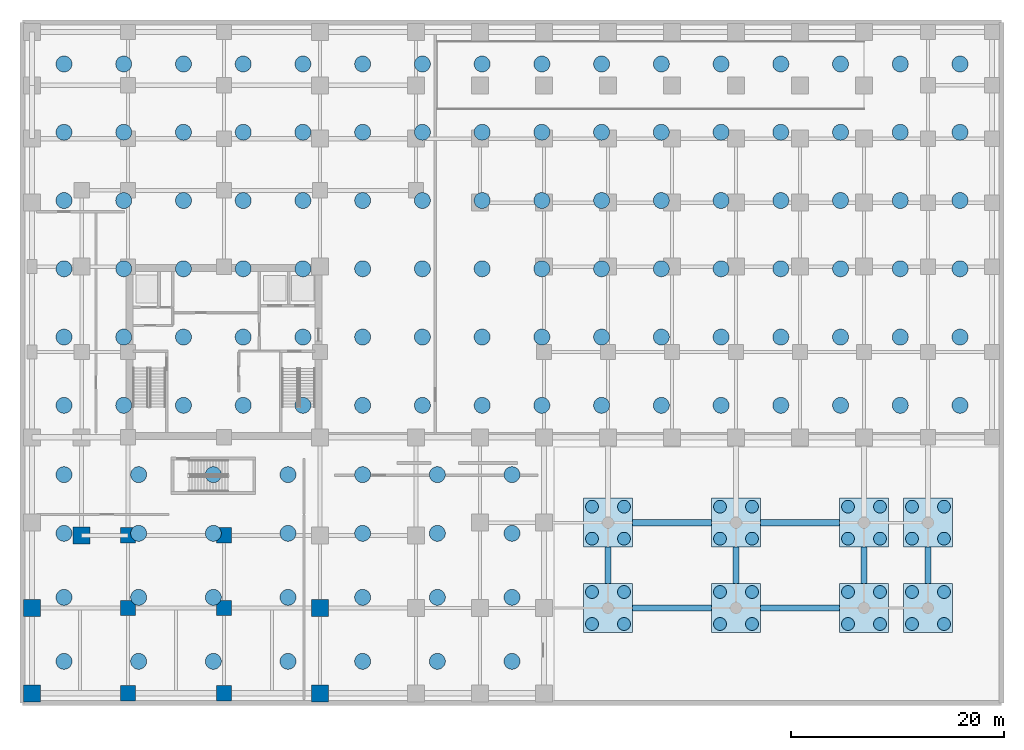
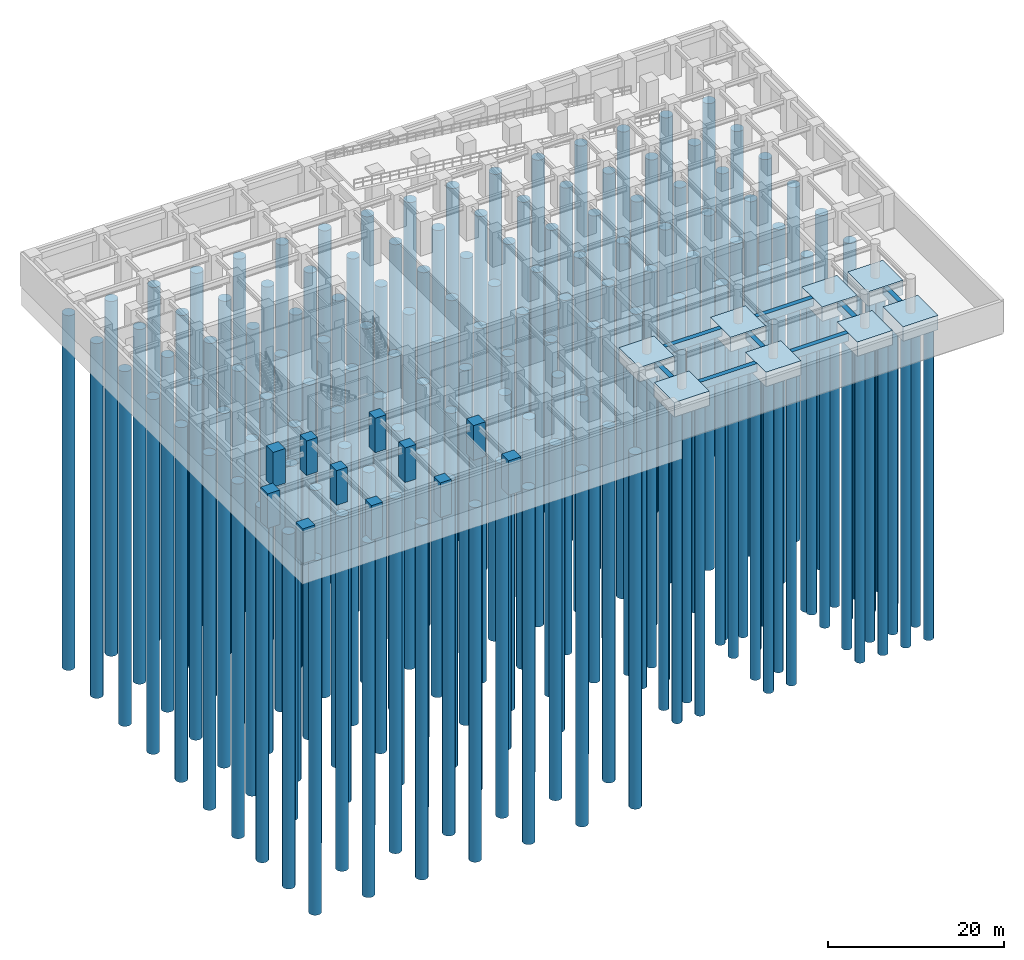
# One storey, part 1 of 11: 156 piles, 16 footings, 11 columns.
"""IFC4 building model written with IfcOpenShell, lengths in metres."""

from ifc_helpers import new_model, si_unit, direction, frame, origin, origin_2d, place, context, subcontext, project, spatial, polyline, rectangle, circle, outline, extrude, source, transform, mapped, material, material_profile, profile_set, type_object, element, save


model = new_model("IFC4")

# Units and contexts
model_context = context("Model", 3, precision=1e-05, world=origin(), true_north=direction((0.0, 1.0)))
body_context = subcontext(model_context, "Body", "Model", "MODEL_VIEW")
ifc_project = project(units=[si_unit("LENGTHUNIT", "METRE"), si_unit("AREAUNIT", "SQUARE_METRE"), si_unit("VOLUMEUNIT", "CUBIC_METRE"), si_unit("PLANEANGLEUNIT", "RADIAN"), si_unit("MASSUNIT", "GRAM", prefix="KILO")], contexts=[model_context])

# Site, building, storey
site_placement = place(None, origin())
site = spatial("IfcSite", under=ifc_project, at=site_placement, CompositionType="ELEMENT")
building_placement = place(site_placement, origin())
building = spatial("IfcBuilding", under=site, at=building_placement, Name="Torre Montelarca", CompositionType="ELEMENT")
storey_placement = place(building_placement, frame((0.0, 0.0, -9.60009765625)))
storey = spatial("IfcBuildingStorey", under=building, at=storey_placement, Name="B2", CompositionType="ELEMENT", Elevation=-9.60009765625)

# Footings
ifc_material_1 = material(Name="Concrete C40/50", Category="concrete")
footing_type_1 = type_object("IfcFootingType", Name="FT-PCAP-4600", PredefinedType="PILE_CAP", material=ifc_material_1)
footing_1_placement = place(storey_placement, frame((0.0, 0.0, -2.0)))
element("IfcFooting", 1, at=footing_1_placement, inside=storey, type_object=footing_type_1, Name="Plaza Colonnade Pile Cap PC-01", PredefinedType="PILE_CAP", context=body_context, shape_type="SweptSolid", body=[
    extrude(outline(polyline([(51.699951171875, 5.699951171875), (56.300048828125, 5.699951171875), (56.300048828125, 10.300048828125), (51.699951171875, 10.300048828125), (51.699951171875, 5.699951171875)])), origin(), (0.0, 0.0, 1.0), 2.0),
])
footing_2_placement = place(storey_placement, frame((0.0, 0.0, -2.0)))
element("IfcFooting", 2, at=footing_2_placement, inside=storey, type_object=footing_type_1, Name="Plaza Colonnade Pile Cap PC-02", PredefinedType="PILE_CAP", context=body_context, shape_type="SweptSolid", body=[
    extrude(outline(polyline([(63.699951171875, 5.699951171875), (68.300048828125, 5.699951171875), (68.300048828125, 10.300048828125), (63.699951171875, 10.300048828125), (63.699951171875, 5.699951171875)])), origin(), (0.0, 0.0, 1.0), 2.0),
])
footing_3_placement = place(storey_placement, frame((0.0, 0.0, -2.0)))
element("IfcFooting", 3, at=footing_3_placement, inside=storey, type_object=footing_type_1, Name="Plaza Colonnade Pile Cap PC-03", PredefinedType="PILE_CAP", context=body_context, shape_type="SweptSolid", body=[
    extrude(outline(polyline([(75.699951171875, 5.699951171875), (80.300048828125, 5.699951171875), (80.300048828125, 10.300048828125), (75.699951171875, 10.300048828125), (75.699951171875, 5.699951171875)])), origin(), (0.0, 0.0, 1.0), 2.0),
])
footing_4_placement = place(storey_placement, frame((0.0, 0.0, -2.0)))
element("IfcFooting", 4, at=footing_4_placement, inside=storey, type_object=footing_type_1, Name="Plaza Colonnade Pile Cap PC-04", PredefinedType="PILE_CAP", context=body_context, shape_type="SweptSolid", body=[
    extrude(outline(polyline([(81.699951171875, 5.699951171875), (86.300048828125, 5.699951171875), (86.300048828125, 10.300048828125), (81.699951171875, 10.300048828125), (81.699951171875, 5.699951171875)])), origin(), (0.0, 0.0, 1.0), 2.0),
])
footing_5_placement = place(storey_placement, frame((0.0, 0.0, -2.0)))
element("IfcFooting", 5, at=footing_5_placement, inside=storey, type_object=footing_type_1, Name="Plaza Colonnade Pile Cap PC-05", PredefinedType="PILE_CAP", context=body_context, shape_type="SweptSolid", body=[
    extrude(outline(polyline([(51.699951171875, 13.699951171875), (56.300048828125, 13.699951171875), (56.300048828125, 18.300048828125), (51.699951171875, 18.300048828125), (51.699951171875, 13.699951171875)])), origin(), (0.0, 0.0, 1.0), 2.0),
])
footing_6_placement = place(storey_placement, frame((0.0, 0.0, -2.0)))
element("IfcFooting", 6, at=footing_6_placement, inside=storey, type_object=footing_type_1, Name="Plaza Colonnade Pile Cap PC-06", PredefinedType="PILE_CAP", context=body_context, shape_type="SweptSolid", body=[
    extrude(outline(polyline([(63.699951171875, 13.699951171875), (68.300048828125, 13.699951171875), (68.300048828125, 18.300048828125), (63.699951171875, 18.300048828125), (63.699951171875, 13.699951171875)])), origin(), (0.0, 0.0, 1.0), 2.0),
])
footing_7_placement = place(storey_placement, frame((0.0, 0.0, -2.0)))
element("IfcFooting", 7, at=footing_7_placement, inside=storey, type_object=footing_type_1, Name="Plaza Colonnade Pile Cap PC-07", PredefinedType="PILE_CAP", context=body_context, shape_type="SweptSolid", body=[
    extrude(outline(polyline([(75.699951171875, 13.699951171875), (80.300048828125, 13.699951171875), (80.300048828125, 18.300048828125), (75.699951171875, 18.300048828125), (75.699951171875, 13.699951171875)])), origin(), (0.0, 0.0, 1.0), 2.0),
])
footing_8_placement = place(storey_placement, frame((0.0, 0.0, -2.0)))
element("IfcFooting", 8, at=footing_8_placement, inside=storey, type_object=footing_type_1, Name="Plaza Colonnade Pile Cap PC-08", PredefinedType="PILE_CAP", context=body_context, shape_type="SweptSolid", body=[
    extrude(outline(polyline([(81.699951171875, 13.699951171875), (86.300048828125, 13.699951171875), (86.300048828125, 18.300048828125), (81.699951171875, 18.300048828125), (81.699951171875, 13.699951171875)])), origin(), (0.0, 0.0, 1.0), 2.0),
])

# Piles
ifc_material_profile_1 = material_profile(ifc_material_1, circle(Radius=0.75, at=origin_2d()), Name="PILE-D1500", Category="concrete")
ifc_profile_set_1 = profile_set([ifc_material_profile_1], Name="Concrete C40/50")
pile_type_1 = type_object("IfcPileType", Name="PILE-BORED-1500", PredefinedType="BORED", material=ifc_profile_set_1)
shared_shape_1 = source(origin(), body_context, "Body", "SweptSolid", [
    extrude(circle(Radius=0.75, at=origin_2d()), origin(), (0.0, 0.0, 1.0), 49.199951171875),
])
for number, where, z_axis, x_axis, name in (
    (9, (3.0, 27.0, -2.699951171875), (0.0, 0.0, -1.0), (1.0, 0.0, 0.0), "Raft Bored Pile D1500 001"),
    (10, (3.0, 33.39990234375, -2.699951171875), (0.0, 0.0, -1.0), (1.0, 0.0, 0.0), "Raft Bored Pile D1500 002"),
    (11, (3.0, 39.800048828125, -2.699951171875), (0.0, 0.0, -1.0), (1.0, 0.0, 0.0), "Raft Bored Pile D1500 003"),
    (12, (3.0, 46.199951171875, -2.699951171875), (0.0, 0.0, -1.0), (1.0, 0.0, 0.0), "Raft Bored Pile D1500 004"),
    (13, (3.0, 52.60009765625, -2.699951171875), (0.0, 0.0, -1.0), (1.0, 0.0, 0.0), "Raft Bored Pile D1500 005"),
    (14, (3.0, 59.0, -2.699951171875), (0.0, 0.0, -1.0), (1.0, 0.0, 0.0), "Raft Bored Pile D1500 006"),
    (15, (8.60009765625, 27.0, -2.699951171875), (0.0, 0.0, -1.0), (1.0, 0.0, 0.0), "Raft Bored Pile D1500 007"),
    (16, (8.60009765625, 33.39990234375, -2.699951171875), (0.0, 0.0, -1.0), (1.0, 0.0, 0.0), "Raft Bored Pile D1500 008"),
    (17, (8.60009765625, 39.800048828125, -2.699951171875), (0.0, 0.0, -1.0), (1.0, 0.0, 0.0), "Raft Bored Pile D1500 009"),
    (18, (8.60009765625, 46.199951171875, -2.699951171875), (0.0, 0.0, -1.0), (1.0, 0.0, 0.0), "Raft Bored Pile D1500 010"),
    (19, (8.60009765625, 52.60009765625, -2.699951171875), (0.0, 0.0, -1.0), (1.0, 0.0, 0.0), "Raft Bored Pile D1500 011"),
    (20, (8.60009765625, 59.0, -2.699951171875), (0.0, 0.0, -1.0), (1.0, 0.0, 0.0), "Raft Bored Pile D1500 012"),
    (21, (14.199951171875, 27.0, -2.699951171875), (0.0, 0.0, -1.0), (1.0, 0.0, 0.0), "Raft Bored Pile D1500 013"),
    (22, (14.199951171875, 33.39990234375, -2.699951171875), (0.0, 0.0, -1.0), (1.0, 0.0, 0.0), "Raft Bored Pile D1500 014"),
    (23, (14.199951171875, 39.800048828125, -2.699951171875), (0.0, 0.0, -1.0), (1.0, 0.0, 0.0), "Raft Bored Pile D1500 015"),
    (24, (14.199951171875, 46.199951171875, -2.699951171875), (0.0, 0.0, -1.0), (1.0, 0.0, 0.0), "Raft Bored Pile D1500 016"),
    (25, (14.199951171875, 52.60009765625, -2.699951171875), (0.0, 0.0, -1.0), (1.0, 0.0, 0.0), "Raft Bored Pile D1500 017"),
    (26, (14.199951171875, 59.0, -2.699951171875), (0.0, 0.0, -1.0), (1.0, 0.0, 0.0), "Raft Bored Pile D1500 018"),
    (27, (19.800048828125, 27.0, -2.699951171875), (0.0, 0.0, -1.0), (1.0, 0.0, 0.0), "Raft Bored Pile D1500 019"),
    (28, (19.800048828125, 33.39990234375, -2.699951171875), (0.0, 0.0, -1.0), (1.0, 0.0, 0.0), "Raft Bored Pile D1500 020"),
    (29, (19.800048828125, 39.800048828125, -2.699951171875), (0.0, 0.0, -1.0), (1.0, 0.0, 0.0), "Raft Bored Pile D1500 021"),
    (30, (19.800048828125, 46.199951171875, -2.699951171875), (0.0, 0.0, -1.0), (1.0, 0.0, 0.0), "Raft Bored Pile D1500 022"),
    (31, (19.800048828125, 52.60009765625, -2.699951171875), (0.0, 0.0, -1.0), (1.0, 0.0, 0.0), "Raft Bored Pile D1500 023"),
    (32, (19.800048828125, 59.0, -2.699951171875), (0.0, 0.0, -1.0), (1.0, 0.0, 0.0), "Raft Bored Pile D1500 024"),
    (33, (25.39990234375, 27.0, -2.699951171875), (0.0, 0.0, -1.0), (1.0, 0.0, 0.0), "Raft Bored Pile D1500 025"),
    (34, (25.39990234375, 33.39990234375, -2.699951171875), (0.0, 0.0, -1.0), (1.0, 0.0, 0.0), "Raft Bored Pile D1500 026"),
    (35, (25.39990234375, 39.800048828125, -2.699951171875), (0.0, 0.0, -1.0), (1.0, 0.0, 0.0), "Raft Bored Pile D1500 027"),
    (36, (25.39990234375, 46.199951171875, -2.699951171875), (0.0, 0.0, -1.0), (1.0, 0.0, 0.0), "Raft Bored Pile D1500 028"),
    (37, (25.39990234375, 52.60009765625, -2.699951171875), (0.0, 0.0, -1.0), (1.0, 0.0, 0.0), "Raft Bored Pile D1500 029"),
    (38, (25.39990234375, 59.0, -2.699951171875), (0.0, 0.0, -1.0), (1.0, 0.0, 0.0), "Raft Bored Pile D1500 030"),
    (39, (31.0, 27.0, -2.699951171875), (0.0, 0.0, -1.0), (1.0, 0.0, 0.0), "Raft Bored Pile D1500 031"),
    (40, (31.0, 33.39990234375, -2.699951171875), (0.0, 0.0, -1.0), (1.0, 0.0, 0.0), "Raft Bored Pile D1500 032"),
    (41, (31.0, 39.800048828125, -2.699951171875), (0.0, 0.0, -1.0), (1.0, 0.0, 0.0), "Raft Bored Pile D1500 033"),
    (42, (31.0, 46.199951171875, -2.699951171875), (0.0, 0.0, -1.0), (1.0, 0.0, 0.0), "Raft Bored Pile D1500 034"),
    (43, (31.0, 52.60009765625, -2.699951171875), (0.0, 0.0, -1.0), (1.0, 0.0, 0.0), "Raft Bored Pile D1500 035"),
    (44, (31.0, 59.0, -2.699951171875), (0.0, 0.0, -1.0), (1.0, 0.0, 0.0), "Raft Bored Pile D1500 036"),
    (45, (36.60009765625, 27.0, -2.699951171875), (0.0, 0.0, -1.0), (1.0, 0.0, 0.0), "Raft Bored Pile D1500 037"),
    (46, (36.60009765625, 33.39990234375, -2.699951171875), (0.0, 0.0, -1.0), (1.0, 0.0, 0.0), "Raft Bored Pile D1500 038"),
    (47, (36.60009765625, 39.800048828125, -2.699951171875), (0.0, 0.0, -1.0), (1.0, 0.0, 0.0), "Raft Bored Pile D1500 039"),
    (48, (36.60009765625, 46.199951171875, -2.699951171875), (0.0, 0.0, -1.0), (1.0, 0.0, 0.0), "Raft Bored Pile D1500 040"),
    (49, (36.60009765625, 52.60009765625, -2.699951171875), (0.0, 0.0, -1.0), (1.0, 0.0, 0.0), "Raft Bored Pile D1500 041"),
    (50, (36.60009765625, 59.0, -2.699951171875), (0.0, 0.0, -1.0), (1.0, 0.0, 0.0), "Raft Bored Pile D1500 042"),
    (51, (42.199951171875, 27.0, -2.699951171875), (0.0, 0.0, -1.0), (1.0, 0.0, 0.0), "Raft Bored Pile D1500 043"),
    (52, (42.199951171875, 33.39990234375, -2.699951171875), (0.0, 0.0, -1.0), (1.0, 0.0, 0.0), "Raft Bored Pile D1500 044"),
    (53, (42.199951171875, 39.800048828125, -2.699951171875), (0.0, 0.0, -1.0), (1.0, 0.0, 0.0), "Raft Bored Pile D1500 045"),
    (54, (42.199951171875, 46.199951171875, -2.699951171875), (0.0, 0.0, -1.0), (1.0, 0.0, 0.0), "Raft Bored Pile D1500 046"),
    (55, (42.199951171875, 52.60009765625, -2.699951171875), (0.0, 0.0, -1.0), (1.0, 0.0, 0.0), "Raft Bored Pile D1500 047"),
    (56, (42.199951171875, 59.0, -2.699951171875), (0.0, 0.0, -1.0), (1.0, 0.0, 0.0), "Raft Bored Pile D1500 048"),
    (57, (47.800048828125, 27.0, -2.699951171875), (0.0, 0.0, -1.0), (1.0, 0.0, 0.0), "Raft Bored Pile D1500 049"),
    (58, (47.800048828125, 33.39990234375, -2.699951171875), (0.0, 0.0, -1.0), (1.0, 0.0, 0.0), "Raft Bored Pile D1500 050"),
    (59, (47.800048828125, 39.800048828125, -2.699951171875), (0.0, 0.0, -1.0), (1.0, 0.0, 0.0), "Raft Bored Pile D1500 051"),
    (60, (47.800048828125, 46.199951171875, -2.699951171875), (0.0, 0.0, -1.0), (1.0, 0.0, 0.0), "Raft Bored Pile D1500 052"),
    (61, (47.800048828125, 52.60009765625, -2.699951171875), (0.0, 0.0, -1.0), (1.0, 0.0, 0.0), "Raft Bored Pile D1500 053"),
    (62, (47.800048828125, 59.0, -2.699951171875), (0.0, 0.0, -1.0), (1.0, 0.0, 0.0), "Raft Bored Pile D1500 054"),
    (63, (53.39990234375, 27.0, -2.699951171875), (0.0, 0.0, -1.0), (1.0, 0.0, 0.0), "Raft Bored Pile D1500 055"),
    (64, (53.39990234375, 33.39990234375, -2.699951171875), (0.0, 0.0, -1.0), (1.0, 0.0, 0.0), "Raft Bored Pile D1500 056"),
    (65, (53.39990234375, 39.800048828125, -2.699951171875), (0.0, 0.0, -1.0), (1.0, 0.0, 0.0), "Raft Bored Pile D1500 057"),
    (66, (53.39990234375, 46.199951171875, -2.699951171875), (0.0, 0.0, -1.0), (1.0, 0.0, 0.0), "Raft Bored Pile D1500 058"),
    (67, (53.39990234375, 52.60009765625, -2.699951171875), (0.0, 0.0, -1.0), (1.0, 0.0, 0.0), "Raft Bored Pile D1500 059"),
    (68, (53.39990234375, 59.0, -2.699951171875), (0.0, 0.0, -1.0), (1.0, 0.0, 0.0), "Raft Bored Pile D1500 060"),
    (69, (59.0, 27.0, -2.699951171875), (0.0, 0.0, -1.0), (1.0, 0.0, 0.0), "Raft Bored Pile D1500 061"),
    (70, (59.0, 33.39990234375, -2.699951171875), (0.0, 0.0, -1.0), (1.0, 0.0, 0.0), "Raft Bored Pile D1500 062"),
    (71, (59.0, 39.800048828125, -2.699951171875), (0.0, 0.0, -1.0), (1.0, 0.0, 0.0), "Raft Bored Pile D1500 063"),
    (72, (59.0, 46.199951171875, -2.699951171875), (0.0, 0.0, -1.0), (1.0, 0.0, 0.0), "Raft Bored Pile D1500 064"),
    (73, (59.0, 52.60009765625, -2.699951171875), (0.0, 0.0, -1.0), (1.0, 0.0, 0.0), "Raft Bored Pile D1500 065"),
    (74, (59.0, 59.0, -2.699951171875), (0.0, 0.0, -1.0), (1.0, 0.0, 0.0), "Raft Bored Pile D1500 066"),
    (75, (64.60009765625, 27.0, -2.699951171875), (0.0, 0.0, -1.0), (1.0, 0.0, 0.0), "Raft Bored Pile D1500 067"),
    (76, (64.60009765625, 33.39990234375, -2.699951171875), (0.0, 0.0, -1.0), (1.0, 0.0, 0.0), "Raft Bored Pile D1500 068"),
    (77, (64.60009765625, 39.800048828125, -2.699951171875), (0.0, 0.0, -1.0), (1.0, 0.0, 0.0), "Raft Bored Pile D1500 069"),
    (78, (64.60009765625, 46.199951171875, -2.699951171875), (0.0, 0.0, -1.0), (1.0, 0.0, 0.0), "Raft Bored Pile D1500 070"),
    (79, (64.60009765625, 52.60009765625, -2.699951171875), (0.0, 0.0, -1.0), (1.0, 0.0, 0.0), "Raft Bored Pile D1500 071"),
    (80, (64.60009765625, 59.0, -2.699951171875), (0.0, 0.0, -1.0), (1.0, 0.0, 0.0), "Raft Bored Pile D1500 072"),
    (81, (70.199951171875, 27.0, -2.699951171875), (0.0, 0.0, -1.0), (1.0, 0.0, 0.0), "Raft Bored Pile D1500 073"),
    (82, (70.199951171875, 33.39990234375, -2.699951171875), (0.0, 0.0, -1.0), (1.0, 0.0, 0.0), "Raft Bored Pile D1500 074"),
    (83, (70.199951171875, 39.800048828125, -2.699951171875), (0.0, 0.0, -1.0), (1.0, 0.0, 0.0), "Raft Bored Pile D1500 075"),
    (84, (70.199951171875, 46.199951171875, -2.699951171875), (0.0, 0.0, -1.0), (1.0, 0.0, 0.0), "Raft Bored Pile D1500 076"),
    (85, (70.199951171875, 52.60009765625, -2.699951171875), (0.0, 0.0, -1.0), (1.0, 0.0, 0.0), "Raft Bored Pile D1500 077"),
    (86, (70.199951171875, 59.0, -2.699951171875), (0.0, 0.0, -1.0), (1.0, 0.0, 0.0), "Raft Bored Pile D1500 078"),
    (87, (75.800048828125, 27.0, -2.699951171875), (0.0, 0.0, -1.0), (1.0, 0.0, 0.0), "Raft Bored Pile D1500 079"),
    (88, (75.800048828125, 33.39990234375, -2.699951171875), (0.0, 0.0, -1.0), (1.0, 0.0, 0.0), "Raft Bored Pile D1500 080"),
    (89, (75.800048828125, 39.800048828125, -2.699951171875), (0.0, 0.0, -1.0), (1.0, 0.0, 0.0), "Raft Bored Pile D1500 081"),
    (90, (75.800048828125, 46.199951171875, -2.699951171875), (0.0, 0.0, -1.0), (1.0, 0.0, 0.0), "Raft Bored Pile D1500 082"),
    (91, (75.800048828125, 52.60009765625, -2.699951171875), (0.0, 0.0, -1.0), (1.0, 0.0, 0.0), "Raft Bored Pile D1500 083"),
    (92, (75.800048828125, 59.0, -2.699951171875), (0.0, 0.0, -1.0), (1.0, 0.0, 0.0), "Raft Bored Pile D1500 084"),
    (93, (81.39990234375, 27.0, -2.699951171875), (0.0, 0.0, -1.0), (1.0, 0.0, 0.0), "Raft Bored Pile D1500 085"),
    (94, (81.39990234375, 33.39990234375, -2.699951171875), (0.0, 0.0, -1.0), (1.0, 0.0, 0.0), "Raft Bored Pile D1500 086"),
    (95, (81.39990234375, 39.800048828125, -2.699951171875), (0.0, 0.0, -1.0), (1.0, 0.0, 0.0), "Raft Bored Pile D1500 087"),
    (96, (81.39990234375, 46.199951171875, -2.699951171875), (0.0, 0.0, -1.0), (1.0, 0.0, 0.0), "Raft Bored Pile D1500 088"),
    (97, (81.39990234375, 52.60009765625, -2.699951171875), (0.0, 0.0, -1.0), (1.0, 0.0, 0.0), "Raft Bored Pile D1500 089"),
    (98, (81.39990234375, 59.0, -2.699951171875), (0.0, 0.0, -1.0), (1.0, 0.0, 0.0), "Raft Bored Pile D1500 090"),
    (99, (87.0, 27.0, -2.699951171875), (0.0, 0.0, -1.0), (1.0, 0.0, 0.0), "Raft Bored Pile D1500 091"),
    (100, (87.0, 33.39990234375, -2.699951171875), (0.0, 0.0, -1.0), (1.0, 0.0, 0.0), "Raft Bored Pile D1500 092"),
    (101, (87.0, 39.800048828125, -2.699951171875), (0.0, 0.0, -1.0), (1.0, 0.0, 0.0), "Raft Bored Pile D1500 093"),
    (102, (87.0, 46.199951171875, -2.699951171875), (0.0, 0.0, -1.0), (1.0, 0.0, 0.0), "Raft Bored Pile D1500 094"),
    (103, (87.0, 52.60009765625, -2.699951171875), (0.0, 0.0, -1.0), (1.0, 0.0, 0.0), "Raft Bored Pile D1500 095"),
    (104, (87.0, 59.0, -2.699951171875), (0.0, 0.0, -1.0), (1.0, 0.0, 0.0), "Raft Bored Pile D1500 096"),
    (105, (3.0, 3.0, -2.699951171875), (0.0, 0.0, -1.0), (1.0, 0.0, 0.0), "Raft Bored Pile D1500 097"),
    (106, (3.0, 9.0, -2.699951171875), (0.0, 0.0, -1.0), (1.0, 0.0, 0.0), "Raft Bored Pile D1500 098"),
    (107, (3.0, 15.0, -2.699951171875), (0.0, 0.0, -1.0), (1.0, 0.0, 0.0), "Raft Bored Pile D1500 099"),
    (108, (3.0, 20.5, -2.699951171875), (0.0, 0.0, -1.0), (1.0, 0.0, 0.0), "Raft Bored Pile D1500 100"),
    (109, (10.0, 3.0, -2.699951171875), (0.0, 0.0, -1.0), (1.0, 0.0, 0.0), "Raft Bored Pile D1500 101"),
    (110, (10.0, 9.0, -2.699951171875), (0.0, 0.0, -1.0), (1.0, 0.0, 0.0), "Raft Bored Pile D1500 102"),
    (111, (10.0, 15.0, -2.699951171875), (0.0, 0.0, -1.0), (1.0, 0.0, 0.0), "Raft Bored Pile D1500 103"),
    (112, (10.0, 20.5, -2.699951171875), (0.0, 0.0, -1.0), (1.0, 0.0, 0.0), "Raft Bored Pile D1500 104"),
    (113, (17.0, 3.0, -2.699951171875), (0.0, 0.0, -1.0), (1.0, 0.0, 0.0), "Raft Bored Pile D1500 105"),
    (114, (17.0, 9.0, -2.699951171875), (0.0, 0.0, -1.0), (1.0, 0.0, 0.0), "Raft Bored Pile D1500 106"),
    (115, (17.0, 15.0, -2.699951171875), (0.0, 0.0, -1.0), (1.0, 0.0, 0.0), "Raft Bored Pile D1500 107"),
    (116, (17.0, 20.5, -2.699951171875), (0.0, 0.0, -1.0), (1.0, 0.0, 0.0), "Raft Bored Pile D1500 108"),
    (117, (24.0, 3.0, -2.699951171875), (0.0, 0.0, -1.0), (1.0, 0.0, 0.0), "Raft Bored Pile D1500 109"),
    (118, (24.0, 9.0, -2.699951171875), (0.0, 0.0, -1.0), (1.0, 0.0, 0.0), "Raft Bored Pile D1500 110"),
    (119, (24.0, 15.0, -2.699951171875), (0.0, 0.0, -1.0), (1.0, 0.0, 0.0), "Raft Bored Pile D1500 111"),
    (120, (24.0, 20.5, -2.699951171875), (0.0, 0.0, -1.0), (1.0, 0.0, 0.0), "Raft Bored Pile D1500 112"),
    (121, (31.0, 3.0, -2.699951171875), (0.0, 0.0, -1.0), (1.0, 0.0, 0.0), "Raft Bored Pile D1500 113"),
    (122, (31.0, 9.0, -2.699951171875), (0.0, 0.0, -1.0), (1.0, 0.0, 0.0), "Raft Bored Pile D1500 114"),
    (123, (31.0, 15.0, -2.699951171875), (0.0, 0.0, -1.0), (1.0, 0.0, 0.0), "Raft Bored Pile D1500 115"),
    (124, (31.0, 20.5, -2.699951171875), (0.0, 0.0, -1.0), (1.0, 0.0, 0.0), "Raft Bored Pile D1500 116"),
    (125, (38.0, 3.0, -2.699951171875), (0.0, 0.0, -1.0), (1.0, 0.0, 0.0), "Raft Bored Pile D1500 117"),
    (126, (38.0, 9.0, -2.699951171875), (0.0, 0.0, -1.0), (1.0, 0.0, 0.0), "Raft Bored Pile D1500 118"),
    (127, (38.0, 15.0, -2.699951171875), (0.0, 0.0, -1.0), (1.0, 0.0, 0.0), "Raft Bored Pile D1500 119"),
    (128, (38.0, 20.5, -2.699951171875), (0.0, 0.0, -1.0), (1.0, 0.0, 0.0), "Raft Bored Pile D1500 120"),
    (129, (45.0, 3.0, -2.699951171875), (0.0, 0.0, -1.0), (1.0, 0.0, 0.0), "Raft Bored Pile D1500 121"),
    (130, (45.0, 9.0, -2.699951171875), (0.0, 0.0, -1.0), (1.0, 0.0, 0.0), "Raft Bored Pile D1500 122"),
    (131, (45.0, 15.0, -2.699951171875), (0.0, 0.0, -1.0), (1.0, 0.0, 0.0), "Raft Bored Pile D1500 123"),
    (132, (45.0, 20.5, -2.699951171875), (0.0, 0.0, -1.0), (1.0, 0.0, 0.0), "Raft Bored Pile D1500 124"),
):
    element("IfcPile", number, at=place(storey_placement, frame(where, z_axis=z_axis, x_axis=x_axis)), inside=storey, type_object=pile_type_1, Name=name, PredefinedType="BORED", context=body_context, shape_type="MappedRepresentation", body=[
        mapped(shared_shape_1, transform((0.0, 0.0, 0.0), scale=1.0)),
    ])
ifc_material_profile_2 = material_profile(ifc_material_1, circle(Radius=0.60009765625, at=origin_2d()), Name="PILE-D1200", Category="concrete")
ifc_profile_set_2 = profile_set([ifc_material_profile_2], Name="Concrete C40/50")
pile_type_2 = type_object("IfcPileType", Name="PILE-BORED-1200", PredefinedType="BORED", material=ifc_profile_set_2)
shared_shape_2 = source(origin(), body_context, "Body", "SweptSolid", [
    extrude(circle(Radius=0.60009765625, at=origin_2d()), origin(), (0.0, 0.0, 1.0), 43.0),
])
for number, where, z_axis, x_axis, name in (
    (133, (52.5, 6.5, -1.89990234375), (0.0, 0.0, -1.0), (1.0, 0.0, 0.0), "Plaza Cap Bored Pile D1200 001"),
    (134, (52.5, 9.5, -1.89990234375), (0.0, 0.0, -1.0), (1.0, 0.0, 0.0), "Plaza Cap Bored Pile D1200 002"),
    (135, (55.5, 6.5, -1.89990234375), (0.0, 0.0, -1.0), (1.0, 0.0, 0.0), "Plaza Cap Bored Pile D1200 003"),
    (136, (55.5, 9.5, -1.89990234375), (0.0, 0.0, -1.0), (1.0, 0.0, 0.0), "Plaza Cap Bored Pile D1200 004"),
    (137, (64.5, 6.5, -1.89990234375), (0.0, 0.0, -1.0), (1.0, 0.0, 0.0), "Plaza Cap Bored Pile D1200 005"),
    (138, (64.5, 9.5, -1.89990234375), (0.0, 0.0, -1.0), (1.0, 0.0, 0.0), "Plaza Cap Bored Pile D1200 006"),
    (139, (67.5, 6.5, -1.89990234375), (0.0, 0.0, -1.0), (1.0, 0.0, 0.0), "Plaza Cap Bored Pile D1200 007"),
    (140, (67.5, 9.5, -1.89990234375), (0.0, 0.0, -1.0), (1.0, 0.0, 0.0), "Plaza Cap Bored Pile D1200 008"),
    (141, (76.5, 6.5, -1.89990234375), (0.0, 0.0, -1.0), (1.0, 0.0, 0.0), "Plaza Cap Bored Pile D1200 009"),
    (142, (76.5, 9.5, -1.89990234375), (0.0, 0.0, -1.0), (1.0, 0.0, 0.0), "Plaza Cap Bored Pile D1200 010"),
    (143, (79.5, 6.5, -1.89990234375), (0.0, 0.0, -1.0), (1.0, 0.0, 0.0), "Plaza Cap Bored Pile D1200 011"),
    (144, (79.5, 9.5, -1.89990234375), (0.0, 0.0, -1.0), (1.0, 0.0, 0.0), "Plaza Cap Bored Pile D1200 012"),
    (145, (82.5, 6.5, -1.89990234375), (0.0, 0.0, -1.0), (1.0, 0.0, 0.0), "Plaza Cap Bored Pile D1200 013"),
    (146, (82.5, 9.5, -1.89990234375), (0.0, 0.0, -1.0), (1.0, 0.0, 0.0), "Plaza Cap Bored Pile D1200 014"),
    (147, (85.5, 6.5, -1.89990234375), (0.0, 0.0, -1.0), (1.0, 0.0, 0.0), "Plaza Cap Bored Pile D1200 015"),
    (148, (85.5, 9.5, -1.89990234375), (0.0, 0.0, -1.0), (1.0, 0.0, 0.0), "Plaza Cap Bored Pile D1200 016"),
    (149, (52.5, 14.5, -1.89990234375), (0.0, 0.0, -1.0), (1.0, 0.0, 0.0), "Plaza Cap Bored Pile D1200 017"),
    (150, (52.5, 17.5, -1.89990234375), (0.0, 0.0, -1.0), (1.0, 0.0, 0.0), "Plaza Cap Bored Pile D1200 018"),
    (151, (55.5, 14.5, -1.89990234375), (0.0, 0.0, -1.0), (1.0, 0.0, 0.0), "Plaza Cap Bored Pile D1200 019"),
    (152, (55.5, 17.5, -1.89990234375), (0.0, 0.0, -1.0), (1.0, 0.0, 0.0), "Plaza Cap Bored Pile D1200 020"),
    (153, (64.5, 14.5, -1.89990234375), (0.0, 0.0, -1.0), (1.0, 0.0, 0.0), "Plaza Cap Bored Pile D1200 021"),
    (154, (64.5, 17.5, -1.89990234375), (0.0, 0.0, -1.0), (1.0, 0.0, 0.0), "Plaza Cap Bored Pile D1200 022"),
    (155, (67.5, 14.5, -1.89990234375), (0.0, 0.0, -1.0), (1.0, 0.0, 0.0), "Plaza Cap Bored Pile D1200 023"),
    (156, (67.5, 17.5, -1.89990234375), (0.0, 0.0, -1.0), (1.0, 0.0, 0.0), "Plaza Cap Bored Pile D1200 024"),
    (157, (76.5, 14.5, -1.89990234375), (0.0, 0.0, -1.0), (1.0, 0.0, 0.0), "Plaza Cap Bored Pile D1200 025"),
    (158, (76.5, 17.5, -1.89990234375), (0.0, 0.0, -1.0), (1.0, 0.0, 0.0), "Plaza Cap Bored Pile D1200 026"),
    (159, (79.5, 14.5, -1.89990234375), (0.0, 0.0, -1.0), (1.0, 0.0, 0.0), "Plaza Cap Bored Pile D1200 027"),
    (160, (79.5, 17.5, -1.89990234375), (0.0, 0.0, -1.0), (1.0, 0.0, 0.0), "Plaza Cap Bored Pile D1200 028"),
    (161, (82.5, 14.5, -1.89990234375), (0.0, 0.0, -1.0), (1.0, 0.0, 0.0), "Plaza Cap Bored Pile D1200 029"),
    (162, (82.5, 17.5, -1.89990234375), (0.0, 0.0, -1.0), (1.0, 0.0, 0.0), "Plaza Cap Bored Pile D1200 030"),
    (163, (85.5, 14.5, -1.89990234375), (0.0, 0.0, -1.0), (1.0, 0.0, 0.0), "Plaza Cap Bored Pile D1200 031"),
    (164, (85.5, 17.5, -1.89990234375), (0.0, 0.0, -1.0), (1.0, 0.0, 0.0), "Plaza Cap Bored Pile D1200 032"),
):
    element("IfcPile", number, at=place(storey_placement, frame(where, z_axis=z_axis, x_axis=x_axis)), inside=storey, type_object=pile_type_2, Name=name, PredefinedType="BORED", context=body_context, shape_type="MappedRepresentation", body=[
        mapped(shared_shape_2, transform((0.0, 0.0, 0.0), scale=1.0)),
    ])

# Footings
ifc_material_profile_3 = material_profile(ifc_material_1, rectangle(XDim=0.60009765625, YDim=1.050048828125, at=origin_2d()), Name="RCB600X1050", Category="concrete")
ifc_profile_set_3 = profile_set([ifc_material_profile_3], Name="Concrete C40/50")
footing_type_2 = type_object("IfcFootingType", Name="FT-GB-700X1000", PredefinedType="FOOTING_BEAM", material=ifc_profile_set_3)
shared_shape_3 = source(origin(), body_context, "Body", "SweptSolid", [
    extrude(rectangle(XDim=0.60009765625, YDim=1.050048828125, at=origin_2d()), origin(), (0.0, 0.0, 1.0), 7.39990234375),
])
for number, where, z_axis, x_axis, name in (
    (165, (56.300048828125, 8.0, -0.52490234375), (1.0, 0.0, 0.0), (0.0, 1.0, 0.0), "Plaza Subterranean Tie Footing Beam FB-01"),
    (166, (68.300048828125, 8.0, -0.52490234375), (1.0, 0.0, 0.0), (0.0, 1.0, 0.0), "Plaza Subterranean Tie Footing Beam FB-02"),
    (167, (56.300048828125, 16.0, -0.52490234375), (1.0, 0.0, 0.0), (0.0, 1.0, 0.0), "Plaza Subterranean Tie Footing Beam FB-03"),
    (168, (68.300048828125, 16.0, -0.52490234375), (1.0, 0.0, 0.0), (0.0, 1.0, 0.0), "Plaza Subterranean Tie Footing Beam FB-04"),
):
    element("IfcFooting", number, at=place(storey_placement, frame(where, z_axis=z_axis, x_axis=x_axis)), inside=storey, type_object=footing_type_2, Name=name, PredefinedType="FOOTING_BEAM", context=body_context, shape_type="MappedRepresentation", body=[
        mapped(shared_shape_3, transform((0.0, 0.0, 0.0), scale=1.0)),
    ])
shared_shape_4 = source(origin(), body_context, "Body", "SweptSolid", [
    extrude(rectangle(XDim=0.60009765625, YDim=1.050048828125, at=origin_2d()), origin(), (0.0, 0.0, 1.0), 3.39990234375),
])
for number, where, z_axis, x_axis, name in (
    (169, (54.0, 10.300048828125, -0.52490234375), (0.0, 1.0, 0.0), (-1.0, 0.0, 0.0), "Plaza Subterranean Tie Footing Beam FB-05"),
    (170, (66.0, 10.300048828125, -0.52490234375), (0.0, 1.0, 0.0), (-1.0, 0.0, 0.0), "Plaza Subterranean Tie Footing Beam FB-06"),
    (171, (78.0, 10.300048828125, -0.52490234375), (0.0, 1.0, 0.0), (-1.0, 0.0, 0.0), "Plaza Subterranean Tie Footing Beam FB-07"),
    (172, (84.0, 10.300048828125, -0.52490234375), (0.0, 1.0, 0.0), (-1.0, 0.0, 0.0), "Plaza Subterranean Tie Footing Beam FB-08"),
):
    element("IfcFooting", number, at=place(storey_placement, frame(where, z_axis=z_axis, x_axis=x_axis)), inside=storey, type_object=footing_type_2, Name=name, PredefinedType="FOOTING_BEAM", context=body_context, shape_type="MappedRepresentation", body=[
        mapped(shared_shape_4, transform((0.0, 0.0, 0.0), scale=1.0)),
    ])

# Columns
ifc_material_2 = material(Name="Concrete C70/85", Category="concrete")
ifc_material_profile_4 = material_profile(ifc_material_2, rectangle(XDim=1.60009765625, YDim=1.60009765625, at=origin_2d()), Name="RC1600X1600", Category="concrete")
ifc_profile_set_4 = profile_set([ifc_material_profile_4], Name="Concrete C70/85")
column_type_1 = type_object("IfcColumnType", Name="COL-RC1600-EXT", PredefinedType="COLUMN", material=ifc_profile_set_4)
shared_shape_5 = source(origin(), body_context, "Body", "SweptSolid", [
    extrude(rectangle(XDim=1.60009765625, YDim=1.60009765625, at=origin_2d()), origin(), (0.0, 0.0, 1.0), 4.79931640625),
])
for number, where, z_axis, x_axis, name in (
    (173, (0.0, 0.0, 0.0), (0.0, 0.0, 1.0), (1.0, 0.0, 0.0), "B2 Perimeter Mega Column 1/A"),
    (174, (0.0, 8.0, 0.0), (0.0, 0.0, 1.0), (1.0, 0.0, 0.0), "B2 Perimeter Mega Column 1/B"),
    (175, (27.0, 0.0, 0.0), (0.0, 0.0, 1.0), (1.0, 0.0, 0.0), "B2 Perimeter Mega Column 4/A"),
):
    element("IfcColumn", number, at=place(storey_placement, frame(where, z_axis=z_axis, x_axis=x_axis)), inside=storey, type_object=column_type_1, Name=name, PredefinedType="COLUMN", context=body_context, shape_type="MappedRepresentation", body=[
        mapped(shared_shape_5, transform((0.0, 0.0, 0.0), scale=1.0)),
    ])
ifc_material_profile_5 = material_profile(ifc_material_2, rectangle(XDim=1.449951171875, YDim=1.449951171875, at=origin_2d()), Name="RC1450X1450", Category="concrete")
ifc_profile_set_5 = profile_set([ifc_material_profile_5], Name="Concrete C70/85")
column_type_2 = type_object("IfcColumnType", Name="COL-RC1450-EXT", PredefinedType="COLUMN", material=ifc_profile_set_5)
shared_shape_6 = source(origin(), body_context, "Body", "SweptSolid", [
    extrude(rectangle(XDim=1.449951171875, YDim=1.449951171875, at=origin_2d()), origin(), (0.0, 0.0, 1.0), 4.79931640625),
])
for number, where, z_axis, x_axis, name in (
    (176, (9.0, 0.0, 0.0), (0.0, 0.0, 1.0), (1.0, 0.0, 0.0), "B2 Perimeter Mega Column 2/A"),
    (177, (18.0, 0.0, 0.0), (0.0, 0.0, 1.0), (1.0, 0.0, 0.0), "B2 Perimeter Mega Column 3/A"),
):
    element("IfcColumn", number, at=place(storey_placement, frame(where, z_axis=z_axis, x_axis=x_axis)), inside=storey, type_object=column_type_2, Name=name, PredefinedType="COLUMN", context=body_context, shape_type="MappedRepresentation", body=[
        mapped(shared_shape_6, transform((0.0, 0.0, 0.0), scale=1.0)),
    ])
ifc_material_profile_6 = material_profile(ifc_material_2, rectangle(XDim=1.449951171875, YDim=1.449951171875, at=origin_2d()), Name="RC1450X1450", Category="concrete")
ifc_profile_set_6 = profile_set([ifc_material_profile_6], Name="Concrete C70/85")
column_type_3 = type_object("IfcColumnType", Name="COL-RC1450", PredefinedType="COLUMN", material=ifc_profile_set_6)
shared_shape_7 = source(origin(), body_context, "Body", "SweptSolid", [
    extrude(rectangle(XDim=1.449951171875, YDim=1.449951171875, at=origin_2d()), origin(), (0.0, 0.0, 1.0), 4.79931640625),
])
for number, where, z_axis, x_axis, name in (
    (178, (9.0, 8.0, 0.0), (0.0, 0.0, 1.0), (1.0, 0.0, 0.0), "B2 Column 2/B"),
    (179, (9.0, 14.800048828125, 0.0), (0.0, 0.0, 1.0), (1.0, 0.0, 0.0), "B2 Column 2/CS"),
    (180, (18.0, 8.0, 0.0), (0.0, 0.0, 1.0), (1.0, 0.0, 0.0), "B2 Column 3/B"),
    (181, (18.0, 14.800048828125, 0.0), (0.0, 0.0, 1.0), (1.0, 0.0, 0.0), "B2 Column 3/CS"),
):
    element("IfcColumn", number, at=place(storey_placement, frame(where, z_axis=z_axis, x_axis=x_axis)), inside=storey, type_object=column_type_3, Name=name, PredefinedType="COLUMN", context=body_context, shape_type="MappedRepresentation", body=[
        mapped(shared_shape_7, transform((0.0, 0.0, 0.0), scale=1.0)),
    ])
ifc_material_profile_7 = material_profile(ifc_material_2, rectangle(XDim=1.60009765625, YDim=1.60009765625, at=origin_2d()), Name="RC1600X1600", Category="concrete")
ifc_profile_set_7 = profile_set([ifc_material_profile_7], Name="Concrete C70/85")
column_type_4 = type_object("IfcColumnType", Name="COL-RC1600", PredefinedType="COLUMN", material=ifc_profile_set_7)
shared_shape_8 = source(origin(), body_context, "Body", "SweptSolid", [
    extrude(rectangle(XDim=1.60009765625, YDim=1.60009765625, at=origin_2d()), origin(), (0.0, 0.0, 1.0), 4.79931640625),
])
for number, where, z_axis, x_axis, name in (
    (182, (27.0, 8.0, 0.0), (0.0, 0.0, 1.0), (1.0, 0.0, 0.0), "B2 Column 4/B"),
    (183, (4.64990234375, 14.800048828125, 0.0), (0.0, 0.0, 1.0), (1.0, 0.0, 0.0), "B2 Column 1W/CS"),
):
    element("IfcColumn", number, at=place(storey_placement, frame(where, z_axis=z_axis, x_axis=x_axis)), inside=storey, type_object=column_type_4, Name=name, PredefinedType="COLUMN", context=body_context, shape_type="MappedRepresentation", body=[
        mapped(shared_shape_8, transform((0.0, 0.0, 0.0), scale=1.0)),
    ])

save(model, "model.ifc")
